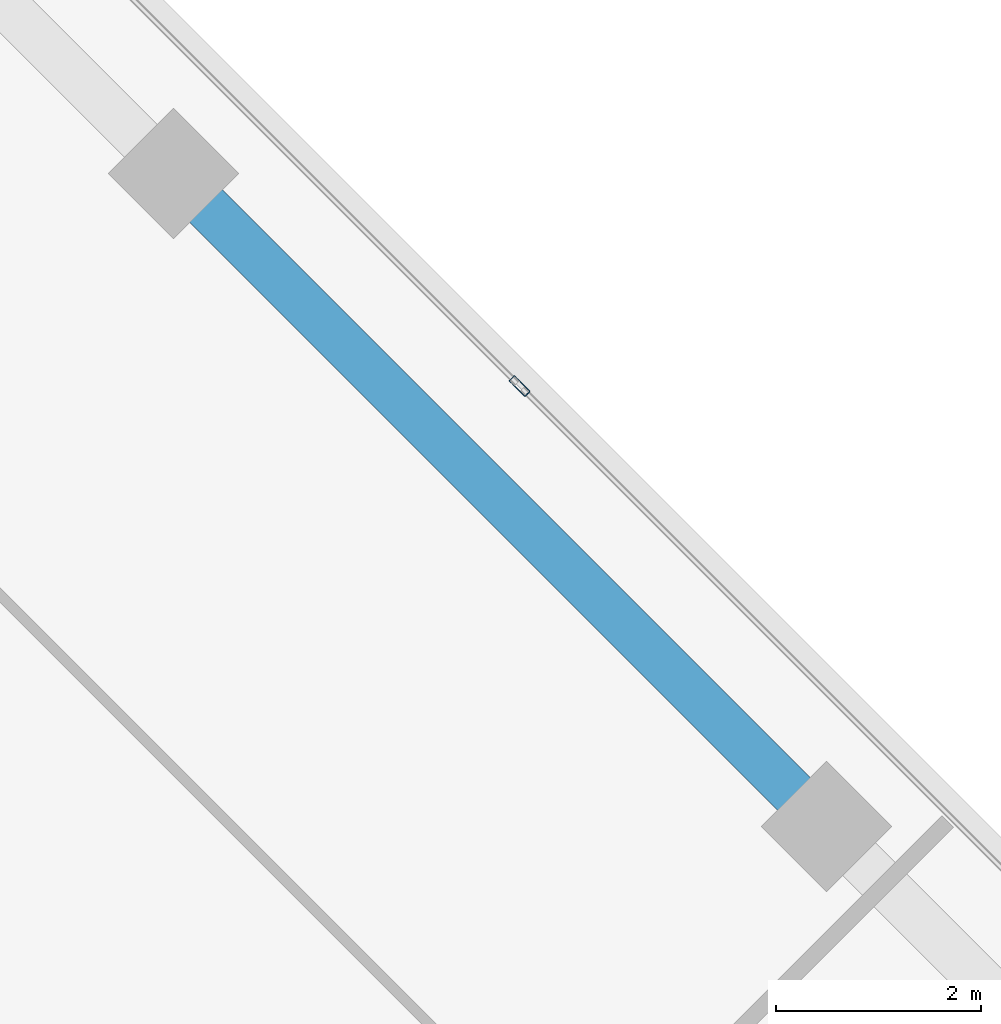
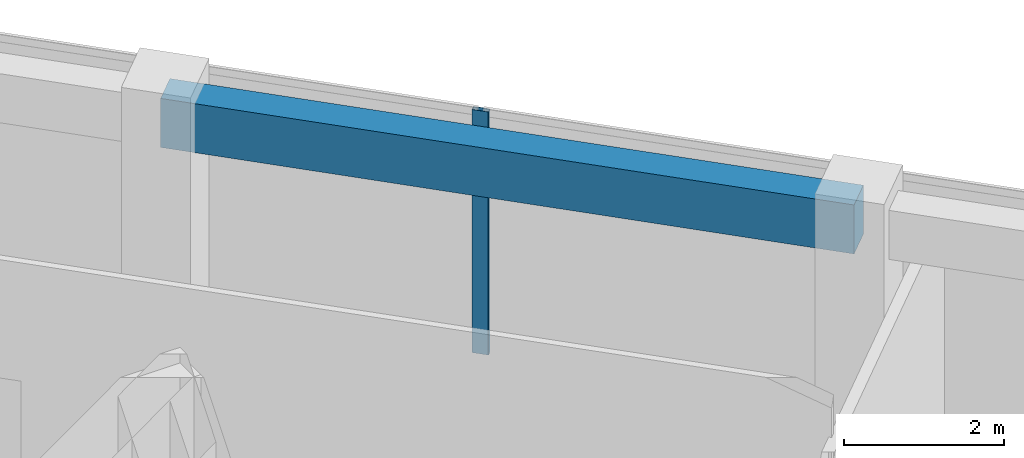
# One storey, part 12 of 18: 1 beam, 1 member, 1 element without a shape of its own.
"""IFC4 building model written with IfcOpenShell, lengths in metres."""

from ifc_helpers import new_model, si_unit, direction, frame, origin, origin_2d, place, context, subcontext, project, spatial, rectangle, hollow_rectangle, extrude, source, transform, mapped, material, material_profile, profile_set, type_object, element, aggregate, save


model = new_model("IFC4")

# Units and contexts
model_context = context("Model", 3, precision=1e-05, world=origin(), true_north=direction((0.0, 1.0)))
body_context = subcontext(model_context, "Body", "Model", "MODEL_VIEW")
ifc_project = project(units=[si_unit("LENGTHUNIT", "METRE"), si_unit("AREAUNIT", "SQUARE_METRE"), si_unit("VOLUMEUNIT", "CUBIC_METRE"), si_unit("PLANEANGLEUNIT", "RADIAN"), si_unit("MASSUNIT", "GRAM", prefix="KILO")], contexts=[model_context])

# Site, building, storey
site_placement = place(None, origin())
site = spatial("IfcSite", under=ifc_project, at=site_placement, CompositionType="ELEMENT")
building_placement = place(site_placement, origin())
building = spatial("IfcBuilding", under=site, at=building_placement, Name="Torre Montelarca", CompositionType="ELEMENT")
storey_placement = place(building_placement, frame((0.0, 0.0, 245.800048828125)))
storey = spatial("IfcBuildingStorey", under=building, at=storey_placement, Name="L55", CompositionType="ELEMENT", Elevation=245.800048828125)

# Beam
ifc_material_1 = material(Name="Concrete C55/67", Category="concrete")
ifc_material_profile_1 = material_profile(ifc_material_1, rectangle(XDim=0.449951171875, YDim=0.75, at=origin_2d()), Name="RCB450X750", Category="concrete")
ifc_profile_set_1 = profile_set([ifc_material_profile_1], Name="Concrete C55/67")
beam_type = type_object("IfcBeamType", Name="BM-SP-RC750-EXT", PredefinedType="SPANDREL", material=ifc_profile_set_1)
shared_shape_1 = source(origin(), body_context, "Body", "SweptSolid", [
    extrude(rectangle(XDim=0.449951171875, YDim=0.75, at=origin_2d()), origin(), (0.0, 0.0, 1.0), 9.0),
])
beam_placement = place(storey_placement, frame((29.73779296875, 45.1875, 3.5849609375), z_axis=(0.707106781187, -0.707106781187, 0.0), x_axis=(0.707106781187, 0.707106781187, 0.0)))
element("IfcBeam", 1, at=beam_placement, inside=storey, type_object=beam_type, Name="L55 Grid Girder X 18.0-27.0 at Y=47.1", PredefinedType="SPANDREL", context=body_context, shape_type="MappedRepresentation", body=[
    mapped(shared_shape_1, transform((0.0, 0.0, 0.0), scale=1.0)),
])

# Curtain wall, member
ifc_material_2 = material(Name="Insulated low-E laminated glass", Category="glass")
curtain_wall_type = type_object("IfcCurtainWallType", Name="CW-SYS-Z3", PredefinedType="USERDEFINED", material=ifc_material_2)
curtain_wall_placement = place(storey_placement, origin())
curtain_wall = element("IfcCurtainWall", 2, at=curtain_wall_placement, inside=storey, type_object=curtain_wall_type, Name="L55 Curtain Wall Run CW-T3-L55-E08-B1", ObjectType="UNITISED GLAZING", PredefinedType="USERDEFINED")
ifc_material_3 = material(Name="Anodised aluminium AA 6063-T6", Category="aluminium")
ifc_material_profile_2 = material_profile(ifc_material_3, hollow_rectangle(XDim=0.074951171875, YDim=0.219970703125, WallThickness=0.0048828125, InnerFilletRadius=0.0048828125, OuterFilletRadius=0.010009765625, at=origin_2d()), Name="ALU75X220X5", Category="aluminium")
ifc_profile_set_2 = profile_set([ifc_material_profile_2], Name="Anodised aluminium AA 6063-T6")
member_type = type_object("IfcMemberType", Name="CWM-ALU220", PredefinedType="MULLION", material=ifc_profile_set_2)
shared_shape_2 = source(origin(), body_context, "Body", "SweptSolid", [
    extrude(hollow_rectangle(XDim=0.074951171875, YDim=0.219970703125, WallThickness=0.0048828125, InnerFilletRadius=0.0048828125, OuterFilletRadius=0.010009765625, at=origin_2d()), origin(), (0.0, 0.0, 1.0), 3.719970703125),
])
member_placement = place(storey_placement, frame((33.110595703125, 43.11572265625, 0.0), z_axis=(0.0, 0.0, 1.0), x_axis=(-0.707108307056, -0.707105255314, 0.0)))
member = element("IfcMember", 3, at=member_placement, type_object=member_type, Name="CW mullion 2", PredefinedType="MULLION", context=body_context, shape_type="MappedRepresentation", body=[
    mapped(shared_shape_2, transform((0.0, 0.0, 0.0), scale=1.0)),
])
aggregate(curtain_wall, [member])

save(model, "model.ifc")
